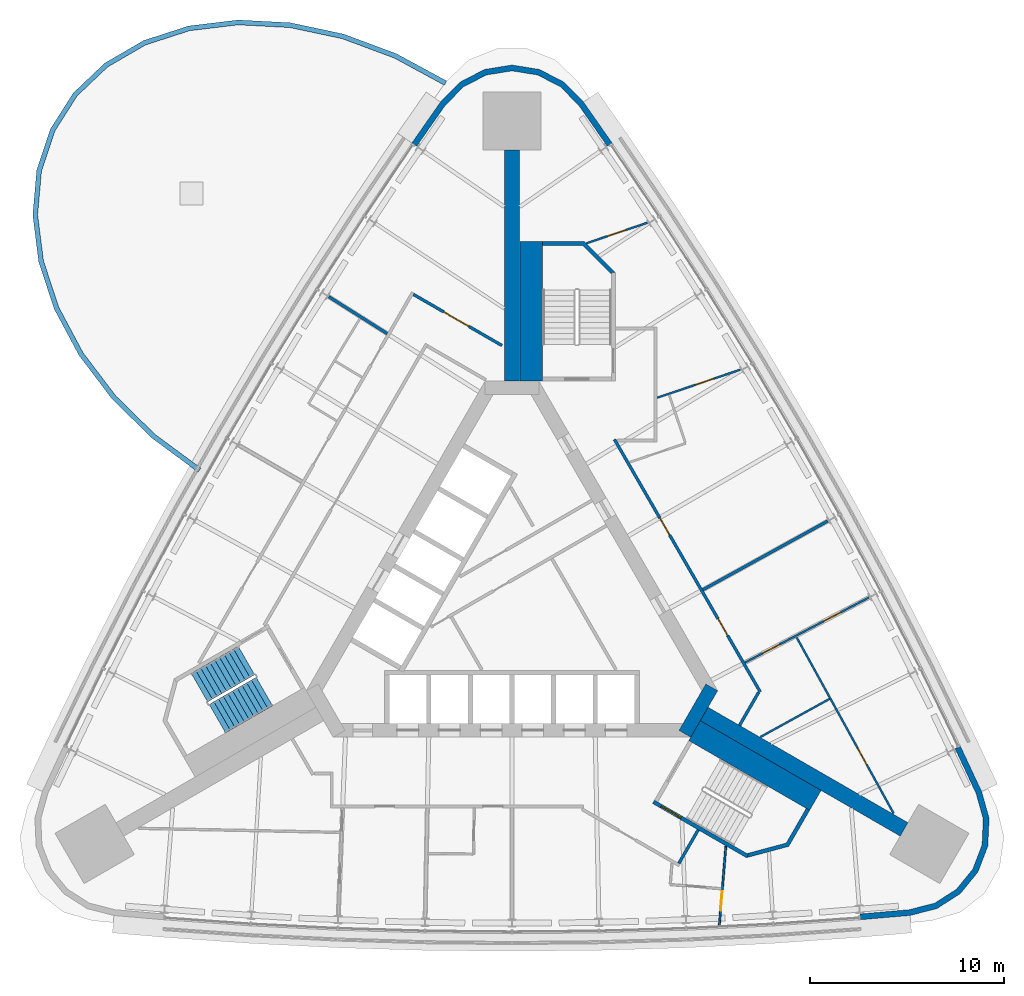
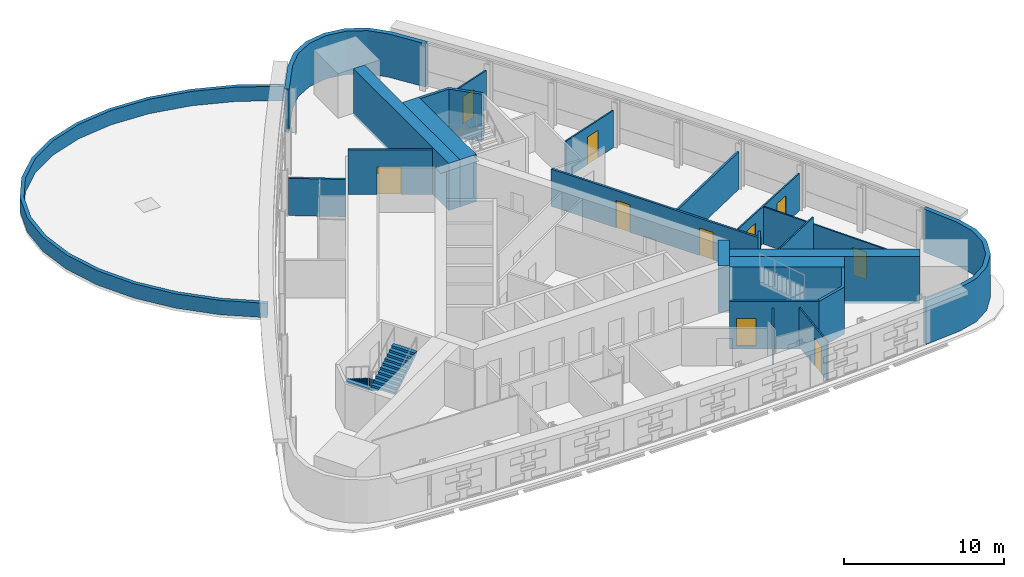
# One storey, part 9 of 12: 23 walls, 10 doors, 2 stair flights, 10 openings, 1 element without a shape of its own.
"""IFC4 building model written with IfcOpenShell, lengths in metres."""

import ifcopenshell
import ifcopenshell.guid

model = None  # the IFC model being written
_history = None  # IfcOwnerHistory: only IFC2X3 demands one
_inside = {}  # id of a spatial element -> (the spatial element, [elements in it])
_under = {}  # id of a project, library or spatial element -> (it, [spatial elements below it])
_declared = {}  # id of a project -> (the project, [libraries it declares])
_typed = {}  # id of a type object -> (the type object, [elements of that type])
_made_of = {}  # id of a material, layer set ... -> (it, [elements and type objects made of it])


def new_model(schema):
    """Start an empty IFC model of exactly this schema.

    Asked for "IFC4X3", IfcOpenShell would pick the latest addendum, in which some entities
    have other attributes; the version numbers below select the first issue.
    IFC2X3 requires an IfcOwnerHistory on every rooted entity: one is made here for all.
    """
    global model, _history
    if schema == "IFC4X3":
        model = ifcopenshell.file(schema_version=(4, 3, 0, 0))
    else:
        model = ifcopenshell.file(schema=schema)
    _inside.clear()
    _under.clear()
    _declared.clear()
    _typed.clear()
    _made_of.clear()
    _history = None
    if model.schema == "IFC2X3":
        org = make("IfcOrganization", Name="unknown")
        user = make(
            "IfcPersonAndOrganization",
            ThePerson=make("IfcPerson", FamilyName="unknown"),
            TheOrganization=org,
        )
        app = make(
            "IfcApplication",
            ApplicationDeveloper=org,
            Version="unknown",
            ApplicationFullName="unknown",
            ApplicationIdentifier="unknown",
        )
        _history = make(
            "IfcOwnerHistory",
            OwningUser=user,
            OwningApplication=app,
            ChangeAction="ADDED",
            CreationDate=0,
        )
    return model


def make(cls, **values):
    """One entity of the class cls with the attributes given. An attribute that is None is left unset."""
    return model.create_entity(
        cls, **{name: value for name, value in values.items() if value is not None}
    )


def rooted(cls, **values):
    """An entity with a GlobalId (a new one), such as an element, a storey or a relation."""
    return make(cls, GlobalId=ifcopenshell.guid.new(), OwnerHistory=_history, **values)


def si_unit(unit_type, name, prefix=None):
    """IfcSIUnit, for example si_unit("LENGTHUNIT", "METRE", prefix="MILLI")."""
    return make("IfcSIUnit", UnitType=unit_type, Prefix=prefix, Name=name)


def assignment(units):
    """IfcUnitAssignment: the units of a project."""
    return None if units is None else make("IfcUnitAssignment", Units=units)


def point(xyz):
    """IfcCartesianPoint."""
    return None if xyz is None else make("IfcCartesianPoint", Coordinates=xyz)


def direction(xyz):
    """IfcDirection."""
    return None if xyz is None else make("IfcDirection", DirectionRatios=xyz)


def frame(location, z_axis=None, x_axis=None):
    """IfcAxis2Placement3D, a coordinate frame: its origin and axes. An axis left out is left unset."""
    return make(
        "IfcAxis2Placement3D",
        Location=point(location),
        Axis=direction(z_axis),
        RefDirection=direction(x_axis),
    )


def frame_2d(location, x_axis=None):
    """IfcAxis2Placement2D, a coordinate frame in the plane: its origin and x axis."""
    return make(
        "IfcAxis2Placement2D", Location=point(location), RefDirection=direction(x_axis)
    )


def origin():
    """The frame at (0, 0, 0) with its axes left unset."""
    return frame((0.0, 0.0, 0.0))


def place(relative_to, where):
    """IfcLocalPlacement: puts the frame where relative to a parent placement (None: the world)."""
    return make(
        "IfcLocalPlacement", PlacementRelTo=relative_to, RelativePlacement=where
    )


def context(
    kind, dimensions, precision=None, world=None, true_north=None, identifier=None
):
    """IfcGeometricRepresentationContext, for example the 3D "Model" context."""
    return make(
        "IfcGeometricRepresentationContext",
        ContextIdentifier=identifier,
        ContextType=kind,
        CoordinateSpaceDimension=dimensions,
        Precision=precision,
        WorldCoordinateSystem=world,
        TrueNorth=true_north,
    )


def subcontext(parent, identifier, kind, view, scale=None):
    """IfcGeometricRepresentationSubContext, for example "Body" below "Model"."""
    return make(
        "IfcGeometricRepresentationSubContext",
        ContextIdentifier=identifier,
        ContextType=kind,
        ParentContext=parent,
        TargetScale=scale,
        TargetView=view,
    )


def project(units=None, contexts=None):
    """IfcProject with its units and contexts."""
    return rooted(
        "IfcProject",
        Name="project",
        RepresentationContexts=contexts,
        UnitsInContext=assignment(units),
    )


def spatial(cls, under=None, at=None, **own):
    """A site, building, storey or space (cls), placed at a placement, below another one or the project."""
    s = rooted(cls, ObjectPlacement=at, **own)
    if under is not None:
        _under.setdefault(under.id(), (under, []))[1].append(s)
    return s


def polyline(points):
    """IfcPolyline through the points."""
    return make("IfcPolyline", Points=[point(p) for p in points])


def profile(cls, at=None, kind="AREA", **sizes):
    """A parametric profile (cls). Its sizes go by their IFC names, for example OverallWidth=200.0."""
    return make(cls, ProfileType=kind, Position=at, **sizes)


def rectangle(**sizes):
    """IfcRectangleProfileDef."""
    return profile("IfcRectangleProfileDef", **sizes)


def outline(outer, holes=None, kind="AREA"):
    """IfcArbitraryClosedProfileDef: a profile drawn as a closed curve; with holes, ...WithVoids."""
    if holes is None:
        return make("IfcArbitraryClosedProfileDef", ProfileType=kind, OuterCurve=outer)
    return make(
        "IfcArbitraryProfileDefWithVoids",
        ProfileType=kind,
        OuterCurve=outer,
        InnerCurves=holes,
    )


def extrude(swept, where, along, depth):
    """IfcExtrudedAreaSolid: the profile swept, set in the frame where, extruded along a direction by depth."""
    return make(
        "IfcExtrudedAreaSolid",
        SweptArea=swept,
        Position=where,
        ExtrudedDirection=direction(along),
        Depth=depth,
    )


def shape(context_of_items, identifier, shape_type, items):
    """IfcShapeRepresentation: the items that make up one representation, for example the "Body"."""
    return make(
        "IfcShapeRepresentation",
        ContextOfItems=context_of_items,
        RepresentationIdentifier=identifier,
        RepresentationType=shape_type,
        Items=items,
    )


def material(Name=None, Category=None):
    """IfcMaterial."""
    return make("IfcMaterial", Name=Name, Category=Category)


def layer(
    of_material, thickness, ventilated=None, Name=None, Category=None, Priority=None
):
    """IfcMaterialLayer: one layer of a wall or slab, of a material (None: an air gap)."""
    return make(
        "IfcMaterialLayer",
        Material=of_material,
        LayerThickness=thickness,
        IsVentilated=ventilated,
        Name=Name,
        Category=Category,
        Priority=Priority,
    )


def layer_set(layers, Name=None):
    """IfcMaterialLayerSet."""
    return make("IfcMaterialLayerSet", MaterialLayers=layers, LayerSetName=Name)


def made_of(thing, what):
    """Note that an element or type object is made of a material, layer set ...; save() writes the relation."""
    if what is not None:
        _made_of.setdefault(what.id(), (what, []))[1].append(thing)
    return thing


def type_object(cls, material=None, **own):
    """A type object (cls), such as IfcWallType, which elements share."""
    return made_of(rooted(cls, **own), material)


def element(
    cls,
    number,
    at=None,
    inside=None,
    cuts=None,
    type_object=None,
    material=None,
    context=None,
    identifier="Body",
    shape_type=None,
    held_by="IfcProductDefinitionShape",
    body=None,
    shapes=None,
    **own,
):
    """One element of the class cls, such as IfcWall. Its Tag is "e" and its number.

    at: its placement. inside: the storey or other place that contains it. cuts: it is an
    opening in that element (IfcRelVoidsElement). A single representation is given by context,
    identifier, shape_type and body (its items); several are given by shapes. held_by: the class
    of the entity that holds the representations. save() writes the other relations.
    """
    e = rooted(cls, Tag="e%d" % number, ObjectPlacement=at, **own)
    if body is not None:
        shapes = [shape(context, identifier, shape_type, body)]
    if shapes is not None:
        e.Representation = make(held_by, Representations=shapes)
    if inside is not None:
        _inside.setdefault(inside.id(), (inside, []))[1].append(e)
    if cuts is not None:
        rooted(
            "IfcRelVoidsElement", RelatingBuildingElement=cuts, RelatedOpeningElement=e
        )
    if type_object is not None:
        _typed.setdefault(type_object.id(), (type_object, []))[1].append(e)
    return made_of(e, material)


def fill(opening, filler):
    """IfcRelFillsElement: the door or window that sits in an opening."""
    return rooted(
        "IfcRelFillsElement",
        RelatingOpeningElement=opening,
        RelatedBuildingElement=filler,
    )


def aggregate(whole, parts):
    """IfcRelAggregates: a whole, such as a stair, and the parts it consists of."""
    return rooted("IfcRelAggregates", RelatingObject=whole, RelatedObjects=parts)


def save(model, path):
    """Write the relations noted so far, then the file.

    IfcRelAggregates (storeys below a building ...), IfcRelContainedInSpatialStructure (elements
    in a storey), IfcRelDefinesByType, IfcRelAssociatesMaterial and IfcRelDeclares: one each for
    every whole, place, type object, material and project.
    """
    for whole, parts in _under.values():
        aggregate(whole, parts)
    for where, things in _inside.values():
        rooted(
            "IfcRelContainedInSpatialStructure",
            RelatedElements=things,
            RelatingStructure=where,
        )
    for kind, things in _typed.values():
        rooted("IfcRelDefinesByType", RelatedObjects=things, RelatingType=kind)
    for what, things in _made_of.values():
        rooted("IfcRelAssociatesMaterial", RelatedObjects=things, RelatingMaterial=what)
    for by, libraries in _declared.values():
        rooted("IfcRelDeclares", RelatingContext=by, RelatedDefinitions=libraries)
    model.write(path)


model = new_model("IFC4")

# Units and contexts
model_context = context("Model", 3, precision=1e-05, world=origin(), true_north=direction((0.0, 1.0)))
body_context = subcontext(model_context, "Body", "Model", "MODEL_VIEW")
ifc_project = project(units=[si_unit("LENGTHUNIT", "METRE"), si_unit("AREAUNIT", "SQUARE_METRE"), si_unit("VOLUMEUNIT", "CUBIC_METRE"), si_unit("PLANEANGLEUNIT", "RADIAN"), si_unit("MASSUNIT", "GRAM", prefix="KILO")], contexts=[model_context])

# Site, building, storey
site_placement = place(None, origin())
site = spatial("IfcSite", under=ifc_project, at=site_placement, CompositionType="ELEMENT")
building_placement = place(site_placement, origin())
building = spatial("IfcBuilding", under=site, at=building_placement, Name="Noor Cloister Tower", CompositionType="ELEMENT")
storey_placement = place(building_placement, frame((0.0, 0.0, 105.89990234375)))
storey = spatial("IfcBuildingStorey", under=building, at=storey_placement, Name="L27", CompositionType="ELEMENT", Elevation=105.89990234375)

# Walls
ifc_material_1 = material(Name="Concrete C80/95", Category="concrete")
ifc_layer_1 = layer(ifc_material_1, 0.800048828125)
ifc_layer_set_1 = layer_set([ifc_layer_1], Name="Buttress wall 800 C80/95")
wall_type_1 = type_object("IfcWallType", Name="Buttress wall 800 C80/95", PredefinedType="SHEAR", material=ifc_layer_set_1)
wall_1_placement = place(storey_placement, frame((0.0, 11.456298828125, -0.199951171875), z_axis=(0.0, 0.0, 1.0), x_axis=(0.0, 1.0, 0.0)))
element("IfcWall", 1, at=wall_1_placement, inside=storey, type_object=wall_type_1, Name="Buttress wall N L27", PredefinedType="SHEAR", context=body_context, shape_type="SweptSolid", body=[
    extrude(rectangle(XDim=11.918701171875, YDim=0.800048828125, at=frame_2d((5.95947265625, 0.0))), origin(), (0.0, 0.0, 1.0), 3.60009765625),
])
wall_2_placement = place(storey_placement, frame((9.921630859375, -5.728271484375, -0.199951171875), z_axis=(0.0, 0.0, 1.0), x_axis=(0.866027307971, -0.499996701837, 0.0)))
element("IfcWall", 2, at=wall_2_placement, inside=storey, type_object=wall_type_1, Name="Buttress wall SE L27", PredefinedType="SHEAR", context=body_context, shape_type="SweptSolid", body=[
    extrude(rectangle(XDim=11.91845703125, YDim=0.800048828125, at=frame_2d((5.959228515625, 0.0))), origin(), (0.0, 0.0, 1.0), 3.60009765625),
])
ifc_material_2 = material(Name="Concrete C80/95", Category="concrete")
ifc_layer_2 = layer(ifc_material_2, 0.699951171875)
ifc_layer_set_2 = layer_set([ifc_layer_2], Name="Core wall 700 C80/95")
wall_type_2 = type_object("IfcWallType", Name="Core wall 700 C80/95", PredefinedType="SHEAR", material=ifc_layer_set_2)
wall_3_placement = place(storey_placement, frame((8.925537109375, -6.753173828125, -0.199951171875), z_axis=(0.0, 0.0, 1.0), x_axis=(0.500042739161, 0.866000726912, 0.0)))
element("IfcWall", 3, at=wall_3_placement, inside=storey, type_object=wall_type_2, Name="Core wall L27 2", PredefinedType="SHEAR", context=body_context, shape_type="SweptSolid", body=[
    extrude(rectangle(XDim=2.771240234375, YDim=0.699951171875, at=frame_2d((1.3857421875, 0.0))), origin(), (0.0, 0.0, 1.0), 3.60009765625),
])

# Wall, openings, doors
ifc_material_3 = material(Name="Gypsum board partition on steel studs, 150 mm", Category="steel")
ifc_layer_3 = layer(ifc_material_3, 0.14990234375)
ifc_layer_set_3 = layer_set([ifc_layer_3], Name="Flat wall 150")
wall_type_3 = type_object("IfcWallType", Name="Flat wall 150", PredefinedType="PARTITIONING", material=ifc_layer_set_3)
wall_4_placement = place(storey_placement, frame((5.28857421875, 8.4462890625, 0.0), z_axis=(0.0, 0.0, 1.0), x_axis=(0.499996620721, -0.866027354803, 0.0)))
wall_4 = element("IfcWall", 4, at=wall_4_placement, inside=storey, type_object=wall_type_3, Name="Flat wall 150 L27 003", PredefinedType="PARTITIONING", context=body_context, shape_type="SweptSolid", body=[
    extrude(rectangle(XDim=15.056640625, YDim=0.14990234375, at=frame_2d((7.5283203125, 0.0))), origin(), (0.0, 0.0, 1.0), 2.84716796875),
])
opening_1_placement = place(wall_4_placement, frame((10.688720703125, 0.0, 0.0)))
opening_1 = element("IfcOpeningElement", 5, at=opening_1_placement, cuts=wall_4, Name="Opening L27-006", PredefinedType="OPENING", context=body_context, shape_type="SweptSolid", body=[
    extrude(rectangle(XDim=1.0, YDim=2.10009765625, at=frame_2d((0.5, 1.050048828125))), frame((0.0, 0.0849609375, 0.0), z_axis=(0.0, -1.0, 0.0), x_axis=(1.0, 0.0, 0.0)), (0.0, 0.0, 1.0), 0.169921875),
])
opening_2_placement = place(wall_4_placement, frame((4.6953125, 0.0, 0.0)))
opening_2 = element("IfcOpeningElement", 6, at=opening_2_placement, cuts=wall_4, Name="Opening L27-007", PredefinedType="OPENING", context=body_context, shape_type="SweptSolid", body=[
    extrude(rectangle(XDim=1.0, YDim=2.10009765625, at=frame_2d((0.5, 1.050048828125))), frame((0.0, 0.0849609375, 0.0), z_axis=(0.0, -1.0, 0.0), x_axis=(1.0, 0.0, 0.0)), (0.0, 0.0, 1.0), 0.169921875),
])
ifc_material_4 = material(Name="Timber door leaf with steel frame", Category="steel")
door_type_1 = type_object("IfcDoorType", Name="Flat entrance door 1000 FD60S", OperationType="NOTDEFINED", PredefinedType="DOOR", material=ifc_material_4)
door_1_placement = place(opening_1_placement, origin())
door_1 = element("IfcDoor", 7, at=door_1_placement, inside=storey, type_object=door_type_1, Name="Flat entrance door 1000 L27-006", OperationType="SINGLE_SWING_RIGHT", OverallHeight=2.10009765625, OverallWidth=1.0, PredefinedType="DOOR", context=body_context, shape_type="SweptSolid", body=[
    extrude(rectangle(XDim=1.0, YDim=2.10009765625, at=frame_2d((0.5, 1.050048828125))), frame((0.0, 0.02490234375, 0.0), z_axis=(0.0, -1.0, 0.0), x_axis=(1.0, 0.0, 0.0)), (0.0, 0.0, 1.0), 0.050048828125),
])
fill(opening_1, door_1)
door_2_placement = place(opening_2_placement, origin())
door_2 = element("IfcDoor", 8, at=door_2_placement, inside=storey, type_object=door_type_1, Name="Flat entrance door 1000 L27-007", OperationType="SINGLE_SWING_LEFT", OverallHeight=2.10009765625, OverallWidth=1.0, PredefinedType="DOOR", context=body_context, shape_type="SweptSolid", body=[
    extrude(rectangle(XDim=1.0, YDim=2.10009765625, at=frame_2d((0.5, 1.050048828125))), frame((0.0, 0.02490234375, 0.0), z_axis=(0.0, -1.0, 0.0), x_axis=(1.0, 0.0, 0.0)), (0.0, 0.0, 1.0), 0.050048828125),
])
fill(opening_2, door_2)

# Wall, opening, door
wall_5_placement = place(storey_placement, frame((-5.093017578125, 15.93505859375, 0.0), z_axis=(0.0, 0.0, 1.0), x_axis=(0.866033195618, -0.499986503906, 0.0)))
wall_5 = element("IfcWall", 9, at=wall_5_placement, inside=storey, type_object=wall_type_3, Name="Flat wall 150 L27 007", PredefinedType="PARTITIONING", context=body_context, shape_type="SweptSolid", body=[
    extrude(rectangle(XDim=5.282470703125, YDim=0.14990234375, at=frame_2d((2.64111328125, 0.0))), origin(), (0.0, 0.0, 1.0), 3.400146484375),
])
opening_3_placement = place(wall_5_placement, frame((1.816162109375, 0.0, 0.0)))
opening_3 = element("IfcOpeningElement", 10, at=opening_3_placement, cuts=wall_5, Name="Opening L27-011", PredefinedType="OPENING", context=body_context, shape_type="SweptSolid", body=[
    extrude(rectangle(XDim=1.5, YDim=2.10009765625, at=frame_2d((0.75, 1.050048828125))), frame((0.0, 0.0849609375, 0.0), z_axis=(0.0, -1.0, 0.0), x_axis=(1.0, 0.0, 0.0)), (0.0, 0.0, 1.0), 0.169921875),
])
ifc_material_5 = material(Name="Timber door leaf with steel frame", Category="steel")
door_type_2 = type_object("IfcDoorType", Name="Double door 1500 FD60", OperationType="NOTDEFINED", PredefinedType="DOOR", material=ifc_material_5)
door_3_placement = place(opening_3_placement, origin())
door_3 = element("IfcDoor", 11, at=door_3_placement, inside=storey, type_object=door_type_2, Name="Double door 1500 L27-011", OperationType="DOUBLE_DOOR_SINGLE_SWING", OverallHeight=2.10009765625, OverallWidth=1.5, PredefinedType="DOOR", context=body_context, shape_type="SweptSolid", body=[
    extrude(rectangle(XDim=1.5, YDim=2.10009765625, at=frame_2d((0.75, 1.050048828125))), frame((0.0, 0.02490234375, 0.0), z_axis=(0.0, -1.0, 0.0), x_axis=(1.0, 0.0, 0.0)), (0.0, 0.0, 1.0), 0.050048828125),
])
fill(opening_3, door_3)

# Walls
wall_6_placement = place(storey_placement, frame((8.613525390625, -13.443603515625, 0.0), z_axis=(0.0, 0.0, 1.0), x_axis=(0.499972520799, 0.866041268327, 0.0)))
element("IfcWall", 12, at=wall_6_placement, inside=storey, type_object=wall_type_3, Name="Flat wall 150 L27 010", PredefinedType="PARTITIONING", context=body_context, shape_type="SweptSolid", body=[
    extrude(rectangle(XDim=2.0, YDim=0.14990234375, at=frame_2d((1.0, 0.0))), origin(), (0.0, 0.0, 1.0), 2.923095703125),
])
wall_7_placement = place(storey_placement, frame((11.745361328125, -6.3193359375, 0.0), z_axis=(0.0, 0.0, 1.0), x_axis=(0.500012721296, 0.866018059016, 0.0)))
element("IfcWall", 13, at=wall_7_placement, inside=storey, type_object=wall_type_3, Name="Flat wall 150 L27 012", PredefinedType="PARTITIONING", context=body_context, shape_type="SweptSolid", body=[
    extrude(rectangle(XDim=1.9658203125, YDim=0.14990234375, at=frame_2d((0.98291015625, 0.0))), origin(), (0.0, 0.0, 1.0), 3.400146484375),
])
wall_8_placement = place(storey_placement, frame((16.296875, 4.231689453125, 0.0), z_axis=(0.0, 0.0, 1.0), x_axis=(-0.875895262359, -0.482501284327, 0.0)))
element("IfcWall", 14, at=wall_8_placement, inside=storey, type_object=wall_type_3, Name="Flat wall 150 L27 016", PredefinedType="PARTITIONING", context=body_context, shape_type="SweptSolid", body=[
    extrude(rectangle(XDim=7.35107421875, YDim=0.14990234375, at=frame_2d((3.675537109375, 0.0))), origin(), (0.0, 0.0, 1.0), 2.84716796875),
])
wall_9_placement = place(storey_placement, frame((-9.455322265625, 15.8115234375, 0.0), z_axis=(0.0, 0.0, 1.0), x_axis=(0.845256180865, -0.53436129043, 0.0)))
element("IfcWall", 15, at=wall_9_placement, inside=storey, type_object=wall_type_3, Name="Flat wall 150 L27 020", PredefinedType="PARTITIONING", context=body_context, shape_type="SweptSolid", body=[
    extrude(rectangle(XDim=3.56591796875, YDim=0.14990234375, at=frame_2d((1.782958984375, 0.0))), origin(), (0.0, 0.0, 1.0), 2.84716796875),
])
ifc_material_6 = material(Name="Limestone", Category="masonry")
ifc_layer_4 = layer(ifc_material_6, 0.300048828125)
ifc_layer_set_4 = layer_set([ifc_layer_4], Name="Limestone cladding 300")
wall_type_4 = type_object("IfcWallType", Name="Limestone cladding 300", PredefinedType="NOTDEFINED", material=ifc_layer_set_4)
wall_10_placement = place(storey_placement, origin())
element("IfcWall", 16, at=wall_10_placement, inside=storey, type_object=wall_type_4, Name="Limestone pier cladding L27 2.1", PredefinedType="NOTDEFINED", context=body_context, shape_type="SweptSolid", body=[
    extrude(outline(polyline([(17.980712890625, -16.35205078125), (20.550537109375, -16.13037109375), (21.940185546875, -15.77392578125), (23.1484375, -15.000244140625), (24.0537109375, -13.887451171875), (24.56494140625, -12.546875), (24.630615234375, -11.11376953125), (24.24462890625, -9.732177734375), (23.151611328125, -7.395751953125), (22.8798828125, -7.522705078125), (23.96240234375, -9.8369140625), (24.328857421875, -11.148193359375), (24.267333984375, -12.485107421875), (23.79052734375, -13.7353515625), (22.946044921875, -14.773681640625), (21.819091796875, -15.495361328125), (20.5, -15.83349609375), (17.954833984375, -16.05322265625), (17.980712890625, -16.35205078125)])), origin(), (0.0, 0.0, 1.0), 3.300048828125),
])
wall_11_placement = place(storey_placement, origin())
element("IfcWall", 17, at=wall_11_placement, inside=storey, type_object=wall_type_4, Name="Limestone pier cladding L27 3.1", PredefinedType="NOTDEFINED", context=body_context, shape_type="SweptSolid", body=[
    extrude(outline(polyline([(5.1708984375, 23.747802734375), (3.694091796875, 25.862548828125), (2.6904296875, 26.8876953125), (1.41650390625, 27.54736328125), (0.0, 27.774658203125), (-1.41650390625, 27.54736328125), (-2.6904296875, 26.8876953125), (-3.694091796875, 25.862548828125), (-5.1708984375, 23.747802734375), (-4.925048828125, 23.575927734375), (-3.462158203125, 25.67041015625), (-2.509765625, 26.6435546875), (-1.3212890625, 27.2587890625), (0.0, 27.470947265625), (1.3212890625, 27.2587890625), (2.509765625, 26.6435546875), (3.462158203125, 25.67041015625), (4.925048828125, 23.575927734375), (5.1708984375, 23.747802734375)])), origin(), (0.0, 0.0, 1.0), 3.300048828125),
])
ifc_material_7 = material(Name="Limestone", Category="masonry")
ifc_layer_5 = layer(ifc_material_7, 0.25)
ifc_layer_set_5 = layer_set([ifc_layer_5], Name="Limestone parapet 250")
wall_type_5 = type_object("IfcWallType", Name="Limestone parapet 250", PredefinedType="PARAPET", material=ifc_layer_set_5)
wall_12_placement = place(storey_placement, origin())
element("IfcWall", 18, at=wall_12_placement, inside=storey, type_object=wall_type_5, Name="Sky bar 2 roof parapet", PredefinedType="PARAPET", context=body_context, shape_type="SweptSolid", body=[
    extrude(outline(polyline([(-3.37548828125, 26.95263671875), (-5.96630859375, 28.357666015625), (-8.68701171875, 29.370849609375), (-11.445556640625, 29.9580078125), (-14.147705078125, 30.098876953125), (-16.70166015625, 29.7890625), (-19.02001953125, 29.03857421875), (-21.0244140625, 27.873291015625), (-22.646240234375, 26.332763671875), (-23.830078125, 24.469482421875), (-24.5361328125, 22.34716796875), (-24.739990234375, 20.03759765625), (-24.434814453125, 17.619873046875), (-23.631103515625, 15.17626953125), (-22.35595703125, 12.78955078125), (-20.65283203125, 10.54150390625), (-18.580078125, 8.508544921875), (-16.2080078125, 6.759765625), (-16.0595703125, 6.9609375), (-18.417724609375, 8.69921875), (-20.46484375, 10.70703125), (-22.144775390625, 12.9248046875), (-23.400390625, 15.27490234375), (-24.189697265625, 17.675048828125), (-24.488525390625, 20.04248046875), (-24.28955078125, 22.2958984375), (-23.6025390625, 24.361572265625), (-22.45166015625, 26.172607421875), (-20.873291015625, 27.671875), (-18.917724609375, 28.808837890625), (-16.6474609375, 29.543701171875), (-14.13916015625, 29.84814453125), (-11.478271484375, 29.70947265625), (-8.757080078125, 29.130126953125), (-6.06982421875, 28.12939453125), (-3.494873046875, 26.73291015625), (-3.37548828125, 26.95263671875)])), origin(), (0.0, 0.0, 1.0), 1.10009765625),
])

# Wall, opening, door
ifc_material_8 = material(Name="Gypsum board partition on steel studs, 100 mm", Category="steel")
ifc_layer_6 = layer(ifc_material_8, 0.10009765625)
ifc_layer_set_6 = layer_set([ifc_layer_6], Name="Partition 100")
wall_type_6 = type_object("IfcWallType", Name="Partition 100", PredefinedType="PARTITIONING", material=ifc_layer_set_6)
wall_13_placement = place(storey_placement, frame((19.702880859375, -10.8642578125, 0.0), z_axis=(0.0, 0.0, 1.0), x_axis=(-0.482505676042, 0.875892843096, 0.0)))
wall_13 = element("IfcWall", 19, at=wall_13_placement, inside=storey, type_object=wall_type_6, Name="Partition 100 L27 021", PredefinedType="PARTITIONING", context=body_context, shape_type="SweptSolid", body=[
    extrude(rectangle(XDim=10.377197265625, YDim=0.10009765625, at=frame_2d((5.1884765625, 0.0))), origin(), (0.0, 0.0, 1.0), 2.84716796875),
])
opening_4_placement = place(wall_13_placement, frame((2.863525390625, 0.0, 0.0)))
opening_4 = element("IfcOpeningElement", 20, at=opening_4_placement, cuts=wall_13, Name="Opening L27-012", PredefinedType="OPENING", context=body_context, shape_type="SweptSolid", body=[
    extrude(rectangle(XDim=1.0, YDim=2.10009765625, at=frame_2d((0.5, 1.050048828125))), frame((0.0, 0.06005859375, 0.0), z_axis=(0.0, -1.0, 0.0), x_axis=(1.0, 0.0, 0.0)), (0.0, 0.0, 1.0), 0.1201171875),
])
ifc_material_9 = material(Name="Timber door leaf with steel frame", Category="steel")
door_type_3 = type_object("IfcDoorType", Name="Interior door 1000", OperationType="NOTDEFINED", PredefinedType="DOOR", material=ifc_material_9)
door_4_placement = place(opening_4_placement, origin())
door_4 = element("IfcDoor", 21, at=door_4_placement, inside=storey, type_object=door_type_3, Name="Interior door 1000 L27-012", OperationType="SINGLE_SWING_LEFT", OverallHeight=2.10009765625, OverallWidth=1.0, PredefinedType="DOOR", context=body_context, shape_type="SweptSolid", body=[
    extrude(rectangle(XDim=1.0, YDim=2.10009765625, at=frame_2d((0.5, 1.050048828125))), frame((0.0, 0.02490234375, 0.0), z_axis=(0.0, -1.0, 0.0), x_axis=(1.0, 0.0, 0.0)), (0.0, 0.0, 1.0), 0.050048828125),
])
fill(opening_4, door_4)

# Wall, openings, doors
wall_14_placement = place(storey_placement, frame((18.4208984375, 0.282958984375, 0.0), z_axis=(0.0, 0.0, 1.0), x_axis=(-0.885392336097, -0.464844502151, 0.0)))
wall_14 = element("IfcWall", 22, at=wall_14_placement, inside=storey, type_object=wall_type_6, Name="Partition 100 L27 023", PredefinedType="PARTITIONING", context=body_context, shape_type="SweptSolid", body=[
    extrude(rectangle(XDim=7.219970703125, YDim=0.10009765625, at=frame_2d((3.60986328125, 0.0))), origin(), (0.0, 0.0, 1.0), 2.84716796875),
])
opening_5_placement = place(wall_14_placement, frame((5.19580078125, 0.0, 0.0)))
opening_5 = element("IfcOpeningElement", 23, at=opening_5_placement, cuts=wall_14, Name="Opening L27-013", PredefinedType="OPENING", context=body_context, shape_type="SweptSolid", body=[
    extrude(rectangle(XDim=1.0, YDim=2.10009765625, at=frame_2d((0.5, 1.050048828125))), frame((0.0, 0.06005859375, 0.0), z_axis=(0.0, -1.0, 0.0), x_axis=(1.0, 0.0, 0.0)), (0.0, 0.0, 1.0), 0.1201171875),
])
opening_6_placement = place(wall_14_placement, frame((1.634033203125, 0.0, 0.0)))
opening_6 = element("IfcOpeningElement", 24, at=opening_6_placement, cuts=wall_14, Name="Opening L27-014", PredefinedType="OPENING", context=body_context, shape_type="SweptSolid", body=[
    extrude(rectangle(XDim=1.0, YDim=2.10009765625, at=frame_2d((0.5, 1.050048828125))), frame((0.0, 0.06005859375, 0.0), z_axis=(0.0, -1.0, 0.0), x_axis=(1.0, 0.0, 0.0)), (0.0, 0.0, 1.0), 0.1201171875),
])
door_5_placement = place(opening_5_placement, origin())
door_5 = element("IfcDoor", 25, at=door_5_placement, inside=storey, type_object=door_type_3, Name="Interior door 1000 L27-013", OperationType="SINGLE_SWING_RIGHT", OverallHeight=2.10009765625, OverallWidth=1.0, PredefinedType="DOOR", context=body_context, shape_type="SweptSolid", body=[
    extrude(rectangle(XDim=1.0, YDim=2.10009765625, at=frame_2d((0.5, 1.050048828125))), frame((0.0, 0.02490234375, 0.0), z_axis=(0.0, -1.0, 0.0), x_axis=(1.0, 0.0, 0.0)), (0.0, 0.0, 1.0), 0.050048828125),
])
fill(opening_5, door_5)
door_6_placement = place(opening_6_placement, origin())
door_6 = element("IfcDoor", 26, at=door_6_placement, inside=storey, type_object=door_type_3, Name="Interior door 1000 L27-014", OperationType="SINGLE_SWING_LEFT", OverallHeight=2.10009765625, OverallWidth=1.0, PredefinedType="DOOR", context=body_context, shape_type="SweptSolid", body=[
    extrude(rectangle(XDim=1.0, YDim=2.10009765625, at=frame_2d((0.5, 1.050048828125))), frame((0.0, 0.02490234375, 0.0), z_axis=(0.0, -1.0, 0.0), x_axis=(1.0, 0.0, 0.0)), (0.0, 0.0, 1.0), 0.050048828125),
])
fill(opening_6, door_6)

# Wall, opening, door
wall_15_placement = place(storey_placement, frame((7.501708984375, 10.600830078125, 0.0), z_axis=(0.0, 0.0, 1.0), x_axis=(0.947570000993, 0.319548264303, 0.0)))
wall_15 = element("IfcWall", 27, at=wall_15_placement, inside=storey, type_object=wall_type_6, Name="Partition 100 L27 026", PredefinedType="PARTITIONING", context=body_context, shape_type="SweptSolid", body=[
    extrude(rectangle(XDim=4.519287109375, YDim=0.10009765625, at=frame_2d((2.259765625, 0.0))), origin(), (0.0, 0.0, 1.0), 2.84716796875),
])
opening_7_placement = place(wall_15_placement, frame((2.067626953125, 0.0, 0.0)))
opening_7 = element("IfcOpeningElement", 28, at=opening_7_placement, cuts=wall_15, Name="Opening L27-017", PredefinedType="OPENING", context=body_context, shape_type="SweptSolid", body=[
    extrude(rectangle(XDim=1.0, YDim=2.10009765625, at=frame_2d((0.5, 1.050048828125))), frame((0.0, 0.06005859375, 0.0), z_axis=(0.0, -1.0, 0.0), x_axis=(1.0, 0.0, 0.0)), (0.0, 0.0, 1.0), 0.1201171875),
])
door_7_placement = place(opening_7_placement, origin())
door_7 = element("IfcDoor", 29, at=door_7_placement, inside=storey, type_object=door_type_3, Name="Interior door 1000 L27-017", OperationType="SINGLE_SWING_RIGHT", OverallHeight=2.10009765625, OverallWidth=1.0, PredefinedType="DOOR", context=body_context, shape_type="SweptSolid", body=[
    extrude(rectangle(XDim=1.0, YDim=2.10009765625, at=frame_2d((0.5, 1.050048828125))), frame((0.0, 0.02490234375, 0.0), z_axis=(0.0, -1.0, 0.0), x_axis=(1.0, 0.0, 0.0)), (0.0, 0.0, 1.0), 0.050048828125),
])
fill(opening_7, door_7)

# Wall
wall_16_placement = place(storey_placement, frame((16.388916015625, -4.952392578125, 0.0), z_axis=(0.0, 0.0, 1.0), x_axis=(-0.875896259157, -0.482499474814, 0.0)))
element("IfcWall", 30, at=wall_16_placement, inside=storey, type_object=wall_type_6, Name="Partition 100 L27 027", PredefinedType="PARTITIONING", context=body_context, shape_type="SweptSolid", body=[
    extrude(rectangle(XDim=4.066162109375, YDim=0.10009765625, at=frame_2d((2.033203125, 0.0))), origin(), (0.0, 0.0, 1.0), 3.400146484375),
])

# Wall, opening, door
wall_17_placement = place(storey_placement, frame((11.040283203125, -12.559814453125, 0.0), z_axis=(0.0, 0.0, 1.0), x_axis=(-0.08207509454, -0.996626147989, 0.0)))
wall_17 = element("IfcWall", 31, at=wall_17_placement, inside=storey, type_object=wall_type_6, Name="Partition 100 L27 028", PredefinedType="PARTITIONING", context=body_context, shape_type="SweptSolid", body=[
    extrude(rectangle(XDim=4.10205078125, YDim=0.10009765625, at=frame_2d((2.051025390625, 0.0))), origin(), (0.0, 0.0, 1.0), 2.97412109375),
])
opening_8_placement = place(wall_17_placement, frame((2.32373046875, 0.0, 0.0)))
opening_8 = element("IfcOpeningElement", 32, at=opening_8_placement, cuts=wall_17, Name="Opening L27-018", PredefinedType="OPENING", context=body_context, shape_type="SweptSolid", body=[
    extrude(rectangle(XDim=1.0, YDim=2.10009765625, at=frame_2d((0.5, 1.050048828125))), frame((0.0, 0.06005859375, 0.0), z_axis=(0.0, -1.0, 0.0), x_axis=(1.0, 0.0, 0.0)), (0.0, 0.0, 1.0), 0.1201171875),
])
door_8_placement = place(opening_8_placement, origin())
door_8 = element("IfcDoor", 33, at=door_8_placement, inside=storey, type_object=door_type_3, Name="Interior door 1000 L27-018", OperationType="SINGLE_SWING_RIGHT", OverallHeight=2.10009765625, OverallWidth=1.0, PredefinedType="DOOR", context=body_context, shape_type="SweptSolid", body=[
    extrude(rectangle(XDim=1.0, YDim=2.10009765625, at=frame_2d((0.5, 1.050048828125))), frame((0.0, 0.02490234375, 0.0), z_axis=(0.0, -1.0, 0.0), x_axis=(1.0, 0.0, 0.0)), (0.0, 0.0, 1.0), 0.050048828125),
])
fill(opening_8, door_8)

wall_18_placement = place(storey_placement, frame((3.8486328125, 18.574951171875, 0.0), z_axis=(0.0, 0.0, 1.0), x_axis=(0.947578304543, 0.319523640375, 0.0)))
wall_18 = element("IfcWall", 34, at=wall_18_placement, inside=storey, type_object=wall_type_6, Name="Partition 100 L27 029", PredefinedType="PARTITIONING", context=body_context, shape_type="SweptSolid", body=[
    extrude(rectangle(XDim=3.309326171875, YDim=0.10009765625, at=frame_2d((1.65478515625, 0.0))), origin(), (0.0, 0.0, 1.0), 2.97412109375),
])
opening_9_placement = place(wall_18_placement, frame((1.14208984375, 0.0, 0.0)))
opening_9 = element("IfcOpeningElement", 35, at=opening_9_placement, cuts=wall_18, Name="Opening L27-019", PredefinedType="OPENING", context=body_context, shape_type="SweptSolid", body=[
    extrude(rectangle(XDim=1.0, YDim=2.10009765625, at=frame_2d((0.5, 1.050048828125))), frame((0.0, 0.06005859375, 0.0), z_axis=(0.0, -1.0, 0.0), x_axis=(1.0, 0.0, 0.0)), (0.0, 0.0, 1.0), 0.1201171875),
])
door_9_placement = place(opening_9_placement, origin())
door_9 = element("IfcDoor", 36, at=door_9_placement, inside=storey, type_object=door_type_3, Name="Interior door 1000 L27-019", OperationType="SINGLE_SWING_LEFT", OverallHeight=2.10009765625, OverallWidth=1.0, PredefinedType="DOOR", context=body_context, shape_type="SweptSolid", body=[
    extrude(rectangle(XDim=1.0, YDim=2.10009765625, at=frame_2d((0.5, 1.050048828125))), frame((0.0, 0.02490234375, 0.0), z_axis=(0.0, -1.0, 0.0), x_axis=(1.0, 0.0, 0.0)), (0.0, 0.0, 1.0), 0.050048828125),
])
fill(opening_9, door_9)

# Walls
ifc_material_10 = material(Name="Concrete C80/95", Category="concrete")
ifc_layer_7 = layer(ifc_material_10, 1.18603515625)
ifc_layer_set_7 = layer_set([ifc_layer_7], Name="Stair enclosure wall 1186 C80/95")
wall_type_7 = type_object("IfcWallType", Name="Stair enclosure wall 1186 C80/95", PredefinedType="SHEAR", material=ifc_layer_set_7)
wall_19_placement = place(storey_placement, frame((0.992919921875, 11.456298828125, -0.199951171875), z_axis=(0.0, 0.0, 1.0), x_axis=(0.0, 1.0, 0.0)))
element("IfcWall", 37, at=wall_19_placement, inside=storey, type_object=wall_type_7, Name="Stair enclosure wall ST1 L27 riser side", PredefinedType="SHEAR", context=body_context, shape_type="SweptSolid", body=[
    extrude(rectangle(XDim=7.2001953125, YDim=1.185546875, at=frame_2d((3.60009765625, 0.0))), origin(), (0.0, 0.0, 1.0), 3.60009765625),
])
wall_20_placement = place(storey_placement, frame((9.425048828125, -6.587890625, -0.199951171875), z_axis=(0.0, 0.0, 1.0), x_axis=(0.866018442252, -0.500012057535, 0.0)))
element("IfcWall", 38, at=wall_20_placement, inside=storey, type_object=wall_type_7, Name="Stair enclosure wall ST3 L27 riser side", PredefinedType="SHEAR", context=body_context, shape_type="SweptSolid", body=[
    extrude(rectangle(XDim=7.199951171875, YDim=1.185546875, at=frame_2d((3.60009765625, 0.0))), origin(), (0.0, 0.0, 1.0), 3.60009765625),
])

# Wall, opening, door
ifc_material_11 = material(Name="Concrete C80/95", Category="concrete")
ifc_layer_8 = layer(ifc_material_11, 0.199951171875)
ifc_layer_set_8 = layer_set([ifc_layer_8], Name="Stair enclosure wall 200 C80/95")
wall_type_8 = type_object("IfcWallType", Name="Stair enclosure wall 200 C80/95", PredefinedType="SHEAR", material=ifc_layer_set_8)
wall_21_placement = place(storey_placement, frame((7.3037109375, -10.262451171875, -0.199951171875), z_axis=(0.0, 0.0, 1.0), x_axis=(0.866026594901, -0.49999793692, 0.0)))
wall_21 = element("IfcWall", 39, at=wall_21_placement, inside=storey, type_object=wall_type_8, Name="Stair enclosure wall ST3 L27 outer side", PredefinedType="SHEAR", context=body_context, shape_type="SweptSolid", body=[
    extrude(rectangle(XDim=5.60009765625, YDim=0.199951171875, at=frame_2d((2.800048828125, 0.0))), origin(), (0.0, 0.0, 1.0), 3.60009765625),
])
opening_10_placement = place(wall_21_placement, frame((0.449951171875, 0.0, 0.199951171875)))
opening_10 = element("IfcOpeningElement", 40, at=opening_10_placement, cuts=wall_21, Name="Opening L27-ST3C", PredefinedType="OPENING", context=body_context, shape_type="SweptSolid", body=[
    extrude(rectangle(XDim=1.199951171875, YDim=2.10009765625, at=frame_2d((0.60009765625, 1.050048828125))), frame((0.0, 0.10986328125, 0.0), z_axis=(0.0, -1.0, 0.0), x_axis=(1.0, 0.0, 0.0)), (0.0, 0.0, 1.0), 0.219970703125),
])
ifc_material_12 = material(Name="Steel", Category="steel")
door_type_4 = type_object("IfcDoorType", Name="Stair door 1200 x 2100 FD120", OperationType="SINGLE_SWING_LEFT", PredefinedType="DOOR", material=ifc_material_12)
door_10_placement = place(opening_10_placement, origin())
door_10 = element("IfcDoor", 41, at=door_10_placement, inside=storey, type_object=door_type_4, Name="Stair door ST3 L27", OperationType="SINGLE_SWING_LEFT", OverallHeight=2.10009765625, OverallWidth=1.199951171875, PredefinedType="DOOR", context=body_context, shape_type="SweptSolid", body=[
    extrude(rectangle(XDim=1.199951171875, YDim=2.10009765625, at=frame_2d((0.60009765625, 1.050048828125))), frame((0.0, 0.02490234375, 0.0), z_axis=(0.0, -1.0, 0.0), x_axis=(1.0, 0.0, 0.0)), (0.0, 0.0, 1.0), 0.050048828125),
])
fill(opening_10, door_10)

# Walls
ifc_material_13 = material(Name="Concrete C80/95", Category="concrete")
wall_type_9 = type_object("IfcWallType", Name="Stair far end wall C80/95", PredefinedType="SHEAR", material=ifc_material_13)
wall_22_placement = place(storey_placement, frame((0.0, 0.0, -0.199951171875)))
element("IfcWall", 42, at=wall_22_placement, inside=storey, type_object=wall_type_9, Name="Stair enclosure wall ST1 L27 far end", PredefinedType="SHEAR", context=body_context, shape_type="SweptSolid", body=[
    extrude(outline(polyline([(5.335693359375, 17.056396484375), (3.735595703125, 18.656494140625), (1.585693359375, 18.656494140625), (1.585693359375, 18.456298828125), (3.65283203125, 18.456298828125), (5.135498046875, 16.9736328125), (5.135498046875, 17.056396484375), (5.135498046875, 17.056396484375), (5.135498046875, 17.056396484375), (5.135498046875, 17.056396484375), (5.135498046875, 17.056396484375), (5.135498046875, 17.056396484375), (5.135498046875, 17.056396484375), (5.135498046875, 17.056396484375), (5.135498046875, 17.056396484375), (5.135498046875, 17.056396484375), (5.135498046875, 17.056396484375), (5.135498046875, 17.056396484375), (5.135498046875, 17.056396484375), (5.135498046875, 17.056396484375), (5.135498046875, 17.056396484375), (5.135498046875, 17.056396484375), (5.135498046875, 17.056396484375), (5.335693359375, 17.056396484375)])), origin(), (0.0, 0.0, 1.0), 3.60009765625),
])
wall_23_placement = place(storey_placement, frame((0.0, 0.0, -0.199951171875)))
element("IfcWall", 43, at=wall_23_placement, inside=storey, type_object=wall_type_9, Name="Stair enclosure wall ST3 L27 far end", PredefinedType="SHEAR", context=body_context, shape_type="SweptSolid", body=[
    extrude(outline(polyline([(12.103515625, -13.14892578125), (14.2890625, -12.5634765625), (15.364013671875, -10.701416015625), (15.19091796875, -10.601318359375), (14.1572265625, -12.3916015625), (12.131591796875, -12.934326171875), (12.20361328125, -12.975830078125), (12.20361328125, -12.975830078125), (12.20361328125, -12.975830078125), (12.20361328125, -12.975830078125), (12.20361328125, -12.975830078125), (12.20361328125, -12.975830078125), (12.20361328125, -12.975830078125), (12.20361328125, -12.975830078125), (12.20361328125, -12.975830078125), (12.20361328125, -12.975830078125), (12.20361328125, -12.975830078125), (12.20361328125, -12.975830078125), (12.20361328125, -12.975830078125), (12.20361328125, -12.975830078125), (12.20361328125, -12.975830078125), (12.20361328125, -12.975830078125), (12.20361328125, -12.975830078125), (12.103515625, -13.14892578125)])), origin(), (0.0, 0.0, 1.0), 3.60009765625),
])

# Stair, stair flights
ifc_material_14 = material(Name="Concrete C40/50", Category="concrete")
stair_type = type_object("IfcStairType", Name="Exit stair 22 risers", PredefinedType="HALF_TURN_STAIR", material=ifc_material_14)
stair_placement = place(storey_placement, origin())
stair = element("IfcStair", 44, at=stair_placement, inside=storey, type_object=stair_type, Name="Exit stair ST2 L27", PredefinedType="HALF_TURN_STAIR")
ifc_material_15 = material(Name="Concrete C40/50", Category="concrete")
stair_flight_type = type_object("IfcStairFlightType", Name="Exit stair flight", PredefinedType="STRAIGHT", material=ifc_material_15)
stair_flight_1_placement = place(storey_placement, frame((-13.709716796875, -2.966796875, 0.0), z_axis=(0.0, 0.0, 1.0), x_axis=(-0.866025403784, -0.5, 0.0)))
stair_flight_1 = element("IfcStairFlight", 45, at=stair_flight_1_placement, type_object=stair_flight_type, Name="ST2 flight 1", NumberOfRisers=11, NumberOfTreads=10, PredefinedType="STRAIGHT", RiserHeight=0.163636364, TreadLength=0.28, context=body_context, shape_type="SweptSolid", body=[
    extrude(outline(polyline([(0.0, 0.0), (0.0, 0.16357421875), (0.280029296875, 0.16357421875), (0.280029296875, 0.327392578125), (0.56005859375, 0.327392578125), (0.56005859375, 0.490966796875), (0.840087890625, 0.490966796875), (0.840087890625, 0.654541015625), (1.1201171875, 0.654541015625), (1.1201171875, 0.818115234375), (1.39990234375, 0.818115234375), (1.39990234375, 0.98193359375), (1.679931640625, 0.98193359375), (1.679931640625, 1.1455078125), (1.9599609375, 1.1455078125), (1.9599609375, 1.30908203125), (2.239990234375, 1.30908203125), (2.239990234375, 1.47265625), (2.52001953125, 1.47265625), (2.52001953125, 1.636474609375), (2.800048828125, 1.636474609375), (2.800048828125, 1.800048828125), (2.800048828125, 1.462646484375), (0.297119140625, 0.0), (0.0, 0.0)])), frame((0.0, 0.85009765625, 0.0), z_axis=(0.0, -1.0, 0.0), x_axis=(1.0, 0.0, 0.0)), (0.0, 0.0, 1.0), 1.699951171875),
])
stair_flight_2_placement = place(storey_placement, frame((-15.209716796875, -5.968994140625, 1.800048828125), z_axis=(0.0, 0.0, 1.0), x_axis=(0.866025403784, 0.5, 0.0)))
stair_flight_2 = element("IfcStairFlight", 46, at=stair_flight_2_placement, type_object=stair_flight_type, Name="ST2 flight 2", NumberOfRisers=11, NumberOfTreads=10, PredefinedType="STRAIGHT", RiserHeight=0.163636364, TreadLength=0.28, context=body_context, shape_type="SweptSolid", body=[
    extrude(outline(polyline([(0.0, 0.0), (0.0, 0.16357421875), (0.280029296875, 0.16357421875), (0.280029296875, 0.327392578125), (0.56005859375, 0.327392578125), (0.56005859375, 0.490966796875), (0.840087890625, 0.490966796875), (0.840087890625, 0.654541015625), (1.1201171875, 0.654541015625), (1.1201171875, 0.818115234375), (1.39990234375, 0.818115234375), (1.39990234375, 0.98193359375), (1.679931640625, 0.98193359375), (1.679931640625, 1.1455078125), (1.9599609375, 1.1455078125), (1.9599609375, 1.30908203125), (2.239990234375, 1.30908203125), (2.239990234375, 1.47265625), (2.52001953125, 1.47265625), (2.52001953125, 1.636474609375), (2.800048828125, 1.636474609375), (2.800048828125, 1.800048828125), (2.800048828125, 1.462646484375), (0.297119140625, 0.0), (0.0, 0.0)])), frame((0.0, 0.85009765625, 0.0), z_axis=(0.0, -1.0, 0.0), x_axis=(1.0, 0.0, 0.0)), (0.0, 0.0, 1.0), 1.699951171875),
])
aggregate(stair, [stair_flight_1, stair_flight_2])

save(model, "model.ifc")
